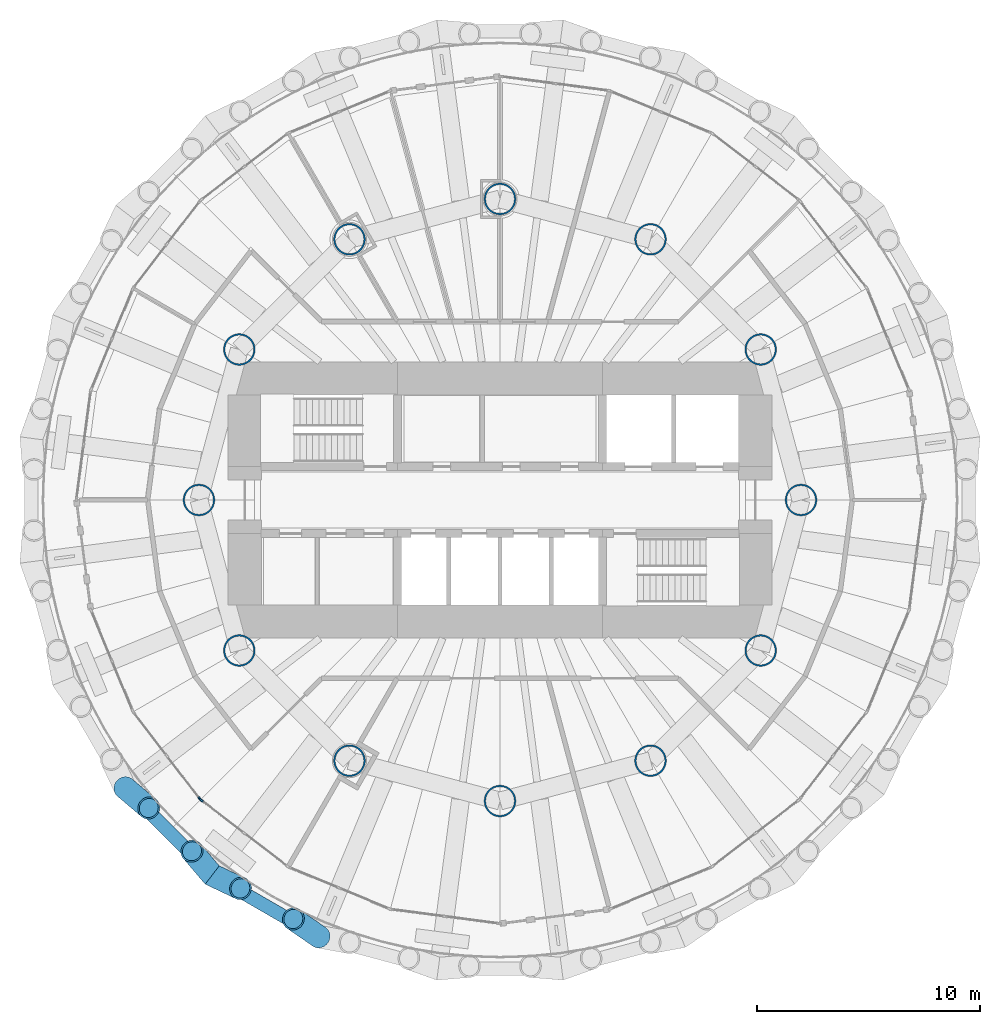
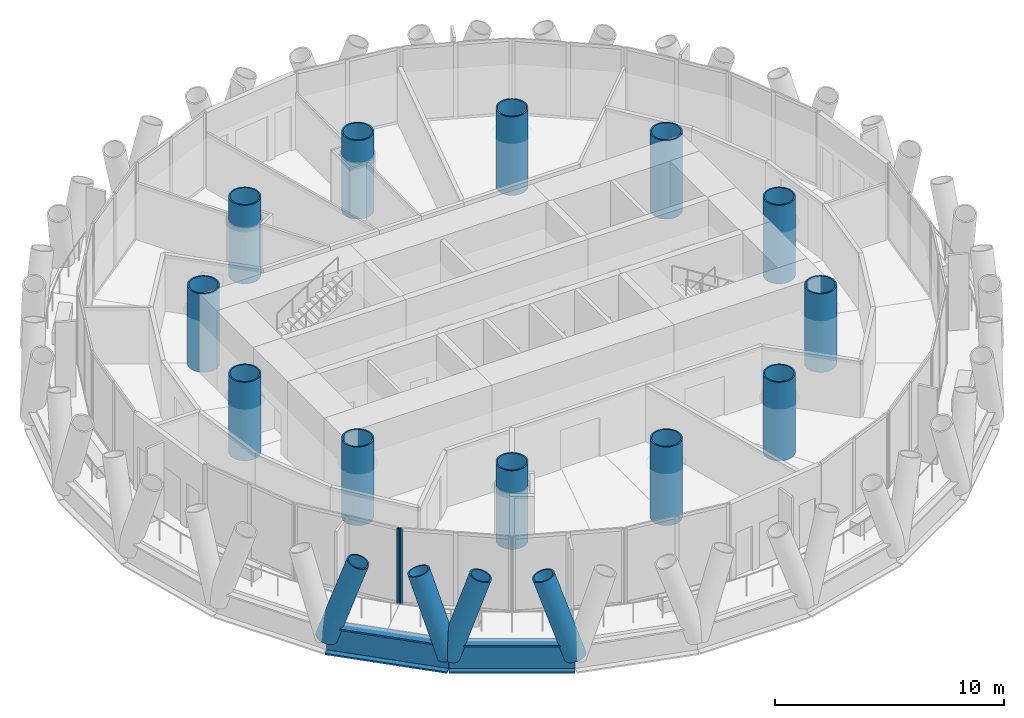
# One storey, part 1 of 16: 12 columns, 6 members, 2 beams, 2 elements without a shape of their own.
"""IFC4 building model written with IfcOpenShell, lengths in metres."""

from ifc_helpers import new_model, si_unit, direction, frame, origin, origin_2d, place, context, subcontext, project, spatial, rectangle, hollow_circle, i_section, extrude, material, material_profile, profile_set, type_object, element, aggregate, save


model = new_model("IFC4")

# Units and contexts
model_context = context("Model", 3, precision=1e-05, world=origin(), true_north=direction((0.0, 1.0)))
body_context = subcontext(model_context, "Body", "Model", "MODEL_VIEW")
ifc_project = project(units=[si_unit("LENGTHUNIT", "METRE"), si_unit("AREAUNIT", "SQUARE_METRE"), si_unit("VOLUMEUNIT", "CUBIC_METRE"), si_unit("PLANEANGLEUNIT", "RADIAN"), si_unit("MASSUNIT", "GRAM", prefix="KILO")], contexts=[model_context])

# Site, building, storey
site_placement = place(None, origin())
site = spatial("IfcSite", under=ifc_project, at=site_placement, CompositionType="ELEMENT")
building_placement = place(site_placement, origin())
building = spatial("IfcBuilding", under=site, at=building_placement, Name="Qaws Media Tower", CompositionType="ELEMENT")
storey_placement = place(building_placement, frame((0.0, 0.0, 269.60009765625)))
storey = spatial("IfcBuildingStorey", under=building, at=storey_placement, Name="L62", CompositionType="ELEMENT", Elevation=269.60009765625)

# Columns
ifc_material_1 = material(Name="Steel S460", Category="steel")
ifc_material_profile_1 = material_profile(ifc_material_1, hollow_circle(Radius=0.7109375, WallThickness=0.070068359375, at=origin_2d()), Name="CHS 1422x70")
ifc_profile_set_1 = profile_set([ifc_material_profile_1], Name="Steel S460")
column_type = type_object("IfcColumnType", Name="Inner column CHS 1422x70", PredefinedType="COLUMN", material=ifc_profile_set_1)
for number, where, z_axis, x_axis, name in (
    (1, (73.5, 50.0, 0.0), (0.0, 0.0, 1.0), (1.0, 0.0, 0.0), "C5 inner column I01 L62"),
    (2, (71.69140625, 56.75, 0.0), (0.0, 0.0, 1.0), (1.0, 0.0, 0.0), "C5 inner column I02 L62"),
    (3, (66.75, 61.69140625, 0.0), (0.0, 0.0, 1.0), (1.0, 0.0, 0.0), "C5 inner column I03 L62"),
    (4, (60.0, 63.5, 0.0), (0.0, 0.0, 1.0), (1.0, 0.0, 0.0), "C5 inner column I04 L62"),
    (5, (53.25, 61.69140625, 0.0), (0.0, 0.0, 1.0), (1.0, 0.0, 0.0), "C5 inner column I05 L62"),
    (6, (48.30859375, 56.75, 0.0), (0.0, 0.0, 1.0), (1.0, 0.0, 0.0), "C5 inner column I06 L62"),
    (7, (46.5, 50.0, 0.0), (0.0, 0.0, 1.0), (1.0, 0.0, 0.0), "C5 inner column I07 L62"),
    (8, (48.30859375, 43.25, 0.0), (0.0, 0.0, 1.0), (1.0, 0.0, 0.0), "C5 inner column I08 L62"),
    (9, (53.25, 38.30859375, 0.0), (0.0, 0.0, 1.0), (1.0, 0.0, 0.0), "C5 inner column I09 L62"),
    (10, (60.0, 36.5, 0.0), (0.0, 0.0, 1.0), (1.0, 0.0, 0.0), "C5 inner column I10 L62"),
    (11, (66.75, 38.30859375, 0.0), (0.0, 0.0, 1.0), (1.0, 0.0, 0.0), "C5 inner column I11 L62"),
    (12, (71.69140625, 43.25, 0.0), (0.0, 0.0, 1.0), (1.0, 0.0, 0.0), "C5 inner column I12 L62"),
):
    element("IfcColumn", number, at=place(storey_placement, frame(where, z_axis=z_axis, x_axis=x_axis)), inside=storey, type_object=column_type, Name=name, PredefinedType="COLUMN", context=body_context, shape_type="SweptSolid", body=[
        extrude(hollow_circle(Radius=0.7109375, WallThickness=0.070068359375, at=origin_2d()), origin(), (0.0, 0.0, 1.0), 4.199951171875),
    ])

# Curtain wall, member
ifc_material_2 = material(Name="Aluminium and clear glass", Category="aluminium")
curtain_wall_type = type_object("IfcCurtainWallType", Name="Unitised curtain wall CW-D", PredefinedType="NOTDEFINED", material=ifc_material_2)
curtain_wall_1_placement = place(storey_placement, origin())
curtain_wall_1 = element("IfcCurtainWall", 13, at=curtain_wall_1_placement, inside=storey, type_object=curtain_wall_type, Name="CWD curtain wall L62-15", PredefinedType="NOTDEFINED")
ifc_material_3 = material(Name="Aluminium mullion", Category="aluminium")
ifc_material_profile_2 = material_profile(ifc_material_3, rectangle(XDim=0.080078125, YDim=0.199951171875, at=origin_2d()), Name="80x200")
ifc_profile_set_2 = profile_set([ifc_material_profile_2], Name="Aluminium mullion")
member_type_1 = type_object("IfcMemberType", Name="Curtain wall mullion 80x200", PredefinedType="MULLION", material=ifc_profile_set_2)
member_1_placement = place(storey_placement, frame((46.54052734375, 36.5966796875, 0.0), z_axis=(0.0, 0.0, 1.0), x_axis=(0.793353335436, 0.608761435337, 0.0)))
member_1 = element("IfcMember", 14, at=member_1_placement, type_object=member_type_1, Name="CWD mullion 3", PredefinedType="MULLION", context=body_context, shape_type="SweptSolid", body=[
    extrude(rectangle(XDim=0.080078125, YDim=0.199951171875, at=origin_2d()), origin(), (0.0, 0.0, 1.0), 4.039794921875),
])
aggregate(curtain_wall_1, [member_1])

curtain_wall_2_placement = place(storey_placement, origin())
curtain_wall_2 = element("IfcCurtainWall", 15, at=curtain_wall_2_placement, inside=storey, type_object=curtain_wall_type, Name="CWD curtain wall L62-16", PredefinedType="NOTDEFINED")
member_2_placement = place(storey_placement, frame((46.5966796875, 36.54052734375, 0.0), z_axis=(0.0, 0.0, 1.0), x_axis=(0.608761435337, 0.793353335436, 0.0)))
member_2 = element("IfcMember", 16, at=member_2_placement, type_object=member_type_1, Name="CWD mullion 1", PredefinedType="MULLION", context=body_context, shape_type="SweptSolid", body=[
    extrude(rectangle(XDim=0.080078125, YDim=0.199951171875, at=origin_2d()), origin(), (0.0, 0.0, 1.0), 4.039794921875),
])
aggregate(curtain_wall_2, [member_2])

# Members
ifc_material_4 = material(Name="Steel S460", Category="steel")
ifc_material_profile_3 = material_profile(ifc_material_4, hollow_circle(Radius=0.508056640625, WallThickness=0.070068359375, at=origin_2d()), Name="CHS 1016x70")
ifc_profile_set_3 = profile_set([ifc_material_profile_3], Name="Steel S460")
member_type_2 = type_object("IfcMemberType", Name="Diagrid member CHS 1016x70", PredefinedType="USERDEFINED", material=ifc_profile_set_3)
for number, where, z_axis, x_axis, name in (
    (17, (43.180908203125, 37.09423828125, -0.91015625), (0.241238251178, -0.2049560182, 0.948576373716), (0.647471429686, 0.762089724206, 0.0), "DG3 diagrid L62 A15"),
    (18, (47.09423828125, 33.180908203125, -0.91015625), (0.286067039423, -0.135534460852, 0.948575805551), (0.428161221709, 0.903702367057, 0.0), "DG3 diagrid L62 A16"),
    (19, (47.09423828125, 33.180908203125, -0.91015625), (-0.2049560182, 0.241238251178, 0.948576373716), (-0.762089724206, -0.647471429686, 0.0), "DG3 diagrid L62 B16"),
    (20, (51.88720703125, 30.413818359375, -0.91015625), (-0.260428145807, 0.179923150491, 0.948580434538), (-0.568412574947, -0.822743668856, 0.0), "DG3 diagrid L62 B17"),
):
    element("IfcMember", number, at=place(storey_placement, frame(where, z_axis=z_axis, x_axis=x_axis)), inside=storey, type_object=member_type_2, Name=name, ObjectType="DIAGRID", PredefinedType="USERDEFINED", context=body_context, shape_type="SweptSolid", body=[
        extrude(hollow_circle(Radius=0.508056640625, WallThickness=0.070068359375, at=origin_2d()), origin(), (0.0, 0.0, 1.0), 4.427734375),
    ])

# Beams
ifc_material_5 = material(Name="Steel S460", Category="steel")
ifc_material_profile_4 = material_profile(ifc_material_5, i_section(OverallWidth=0.60009765625, OverallDepth=1.5, WebThickness=0.030029296875, FlangeThickness=0.080078125, at=origin_2d()), Name="PG 1500x600")
ifc_profile_set_4 = profile_set([ifc_material_profile_4], Name="Steel S460")
beam_type = type_object("IfcBeamType", Name="Edge ring beam PG 1500x600", PredefinedType="BEAM", material=ifc_profile_set_4)
beam_1_placement = place(storey_placement, frame((43.180908203125, 37.09423828125, -0.91015625), z_axis=(0.707106781187, -0.707106781187, 0.0), x_axis=(0.707106781187, 0.707106781187, 0.0)))
element("IfcBeam", 21, at=beam_1_placement, inside=storey, type_object=beam_type, Name="RB5 edge ring beam L62-15", PredefinedType="BEAM", context=body_context, shape_type="SweptSolid", body=[
    extrude(i_section(OverallWidth=0.60009765625, OverallDepth=1.5, WebThickness=0.030029296875, FlangeThickness=0.080078125, at=origin_2d()), origin(), (0.0, 0.0, 1.0), 5.5341796875),
])
beam_2_placement = place(storey_placement, frame((47.09423828125, 33.180908203125, -0.91015625), z_axis=(0.866035727774, -0.499982117899, 0.0), x_axis=(0.499982117899, 0.866035727774, 0.0)))
element("IfcBeam", 22, at=beam_2_placement, inside=storey, type_object=beam_type, Name="RB5 edge ring beam L62-16", PredefinedType="BEAM", context=body_context, shape_type="SweptSolid", body=[
    extrude(i_section(OverallWidth=0.60009765625, OverallDepth=1.5, WebThickness=0.030029296875, FlangeThickness=0.080078125, at=origin_2d()), origin(), (0.0, 0.0, 1.0), 5.534423828125),
])

save(model, "model.ifc")
